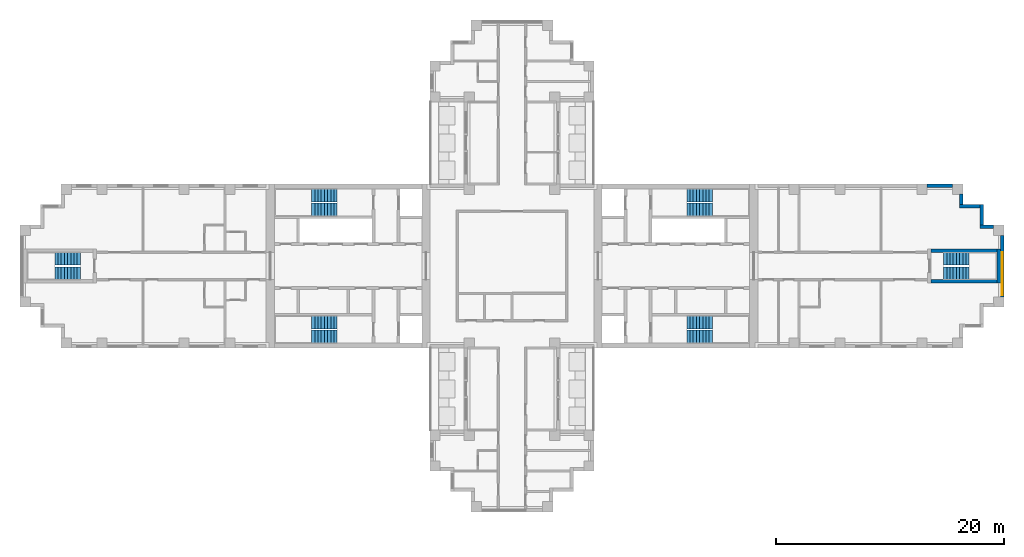
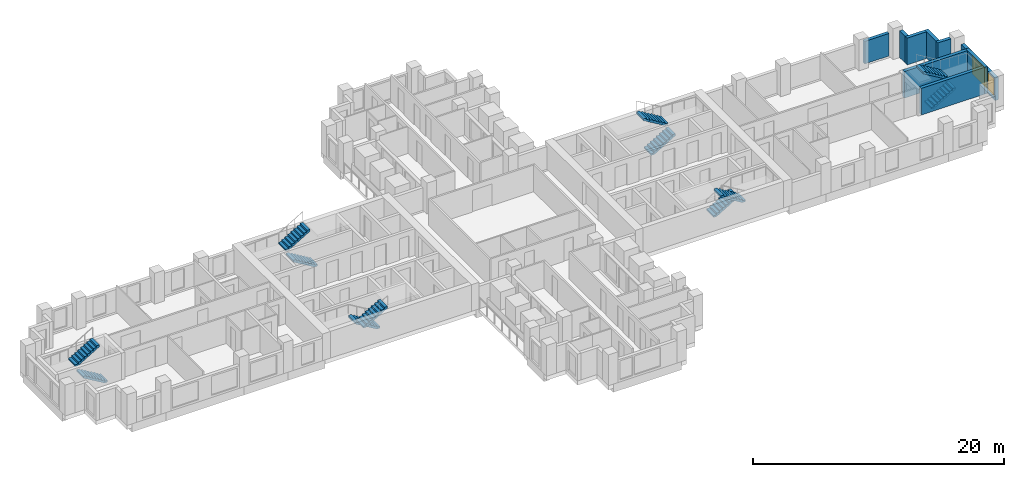
# One storey, part 9 of 11: 12 stair flights, 9 walls, 2 windows, 2 openings, 6 elements without a shape of their own.
"""IFC4 building model written with IfcOpenShell, lengths in metres."""

from ifc_helpers import new_model, si_unit, direction, frame, frame_2d, origin, place, context, subcontext, project, spatial, polyline, rectangle, outline, extrude, material, layer, layer_set, type_object, element, fill, aggregate, save


model = new_model("IFC4")

# Units and contexts
model_context = context("Model", 3, precision=1e-05, world=origin(), true_north=direction((0.0, 1.0)))
body_context = subcontext(model_context, "Body", "Model", "MODEL_VIEW")
ifc_project = project(units=[si_unit("LENGTHUNIT", "METRE"), si_unit("AREAUNIT", "SQUARE_METRE"), si_unit("VOLUMEUNIT", "CUBIC_METRE"), si_unit("PLANEANGLEUNIT", "RADIAN"), si_unit("MASSUNIT", "GRAM", prefix="KILO")], contexts=[model_context])

# Site, building, storey
site_placement = place(None, origin())
site = spatial("IfcSite", under=ifc_project, at=site_placement, CompositionType="ELEMENT")
building_placement = place(site_placement, origin())
building = spatial("IfcBuilding", under=site, at=building_placement, Name="Fustian Cross Tower", CompositionType="ELEMENT")
storey_placement = place(building_placement, frame((0.0, 0.0, 123.300048828125)))
storey = spatial("IfcBuildingStorey", under=building, at=storey_placement, Name="L38", CompositionType="ELEMENT", Elevation=123.300048828125)

# Walls
ifc_material_1 = material(Name="Concrete C50/60", Category="concrete")
ifc_layer_1 = layer(ifc_material_1, 0.300048828125)
ifc_layer_set_1 = layer_set([ifc_layer_1], Name="Concrete C50/60")
wall_type_1 = type_object("IfcWallType", Name="STAIR ENCLOSURE WALL 300 C50/60", PredefinedType="SHEAR", material=ifc_layer_set_1)
wall_1_placement = place(storey_placement, frame((42.75, -1.5, 0.0), z_axis=(0.0, 0.0, 1.0), x_axis=(0.0, 1.0, 0.0)))
element("IfcWall", 1, at=wall_1_placement, inside=storey, type_object=wall_type_1, Name="Stair enclosure wall", PredefinedType="SHEAR", context=body_context, shape_type="SweptSolid", body=[
    extrude(rectangle(XDim=3.0, YDim=0.300048828125, at=frame_2d((1.5, 0.0))), origin(), (0.0, 0.0, 1.0), 2.599853515625),
])
for number, where, z_axis, x_axis, name in (
    (2, (36.800048828125, -1.35009765625, 0.0), (0.0, 0.0, 1.0), (1.0, 0.0, 0.0), "Stair enclosure wall"),
    (3, (36.800048828125, 1.35009765625, 0.0), (0.0, 0.0, 1.0), (1.0, 0.0, 0.0), "Stair enclosure wall"),
):
    element("IfcWall", number, at=place(storey_placement, frame(where, z_axis=z_axis, x_axis=x_axis)), inside=storey, type_object=wall_type_1, Name=name, PredefinedType="SHEAR", context=body_context, shape_type="SweptSolid", body=[
        extrude(rectangle(XDim=5.800048828125, YDim=0.300048828125, at=frame_2d((2.89990234375, 0.0))), origin(), (0.0, 0.0, 1.0), 2.599853515625),
    ])

# Wall, openings, windows
ifc_material_2 = material(Name="Dark aluminium cladding on insulated backing wall", Category="aluminium")
ifc_layer_2 = layer(ifc_material_2, 0.300048828125)
ifc_layer_set_2 = layer_set([ifc_layer_2], Name="Dark aluminium cladding on insulated backing wall")
wall_type_2 = type_object("IfcWallType", Name="XW1 EXTERNAL WALL 300", PredefinedType="SOLIDWALL", material=ifc_layer_set_2)
wall_2_placement = place(storey_placement, frame((43.050048828125, -2.699951171875, 0.0), z_axis=(0.0, 0.0, 1.0), x_axis=(0.0, 1.0, 0.0)))
wall_2 = element("IfcWall", 4, at=wall_2_placement, inside=storey, type_object=wall_type_2, Name="External wall", PredefinedType="SOLIDWALL", context=body_context, shape_type="SweptSolid", body=[
    extrude(rectangle(XDim=5.39990234375, YDim=0.300048828125, at=frame_2d((2.699951171875, 0.0))), origin(), (0.0, 0.0, 1.0), 2.199951171875),
])
opening_1_placement = place(wall_2_placement, frame((1.5, 0.0, 0.199951171875)))
opening_1 = element("IfcOpeningElement", 5, at=opening_1_placement, cuts=wall_2, Name="Opening WN1", PredefinedType="OPENING", context=body_context, shape_type="SweptSolid", body=[
    extrude(rectangle(XDim=2.39990234375, YDim=1.85009765625, at=frame_2d((1.199951171875, 0.925048828125))), frame((0.0, 0.159912109375, 0.0), z_axis=(0.0, -1.0, 0.0), x_axis=(1.0, 0.0, 0.0)), (0.0, 0.0, 1.0), 0.320068359375),
])
opening_2_placement = place(wall_2_placement, frame((0.14990234375, 0.0, 0.199951171875)))
opening_2 = element("IfcOpeningElement", 6, at=opening_2_placement, cuts=wall_2, Name="Opening WN3", PredefinedType="OPENING", context=body_context, shape_type="SweptSolid", body=[
    extrude(rectangle(XDim=1.199951171875, YDim=1.85009765625, at=frame_2d((0.60009765625, 0.925048828125))), frame((0.0, 0.159912109375, 0.0), z_axis=(0.0, -1.0, 0.0), x_axis=(1.0, 0.0, 0.0)), (0.0, 0.0, 1.0), 0.320068359375),
])
ifc_material_3 = material(Name="Dark anodised aluminium and double glazing", Category="aluminium")
window_type_1 = type_object("IfcWindowType", Name="WN1 WINDOW 2400X1850", PartitioningType="SINGLE_PANEL", PredefinedType="WINDOW", material=ifc_material_3)
window_1_placement = place(opening_1_placement, origin())
window_1 = element("IfcWindow", 7, at=window_1_placement, inside=storey, type_object=window_type_1, Name="Window", OverallHeight=1.85009765625, OverallWidth=2.39990234375, PartitioningType="SINGLE_PANEL", PredefinedType="WINDOW", context=body_context, shape_type="SweptSolid", body=[
    extrude(rectangle(XDim=2.39990234375, YDim=1.85009765625, at=frame_2d((1.199951171875, 0.925048828125))), frame((0.0, 0.030029296875, 0.0), z_axis=(0.0, -1.0, 0.0), x_axis=(1.0, 0.0, 0.0)), (0.0, 0.0, 1.0), 0.06005859375),
])
fill(opening_1, window_1)
ifc_material_4 = material(Name="Dark anodised aluminium and double glazing", Category="aluminium")
window_type_2 = type_object("IfcWindowType", Name="WN3 WINDOW 1200X1850", PartitioningType="SINGLE_PANEL", PredefinedType="WINDOW", material=ifc_material_4)
window_2_placement = place(opening_2_placement, origin())
window_2 = element("IfcWindow", 8, at=window_2_placement, inside=storey, type_object=window_type_2, Name="Window", OverallHeight=1.85009765625, OverallWidth=1.199951171875, PartitioningType="SINGLE_PANEL", PredefinedType="WINDOW", context=body_context, shape_type="SweptSolid", body=[
    extrude(rectangle(XDim=1.199951171875, YDim=1.85009765625, at=frame_2d((0.60009765625, 0.925048828125))), frame((0.0, 0.030029296875, 0.0), z_axis=(0.0, -1.0, 0.0), x_axis=(1.0, 0.0, 0.0)), (0.0, 0.0, 1.0), 0.06005859375),
])
fill(opening_2, window_2)

# Walls
wall_3_placement = place(storey_placement, frame((42.300048828125, 3.449951171875, 0.0), z_axis=(0.0, 0.0, 1.0), x_axis=(-1.0, 0.0, 0.0)))
element("IfcWall", 9, at=wall_3_placement, inside=storey, type_object=wall_type_2, Name="External wall", PredefinedType="SOLIDWALL", context=body_context, shape_type="SweptSolid", body=[
    extrude(rectangle(XDim=1.199951171875, YDim=0.300048828125, at=frame_2d((0.60009765625, 0.0))), origin(), (0.0, 0.0, 1.0), 2.599853515625),
])
wall_4_placement = place(storey_placement, frame((41.25, 3.60009765625, 0.0), z_axis=(0.0, 0.0, 1.0), x_axis=(0.0, 1.0, 0.0)))
element("IfcWall", 10, at=wall_4_placement, inside=storey, type_object=wall_type_2, Name="External wall", PredefinedType="SOLIDWALL", context=body_context, shape_type="SweptSolid", body=[
    extrude(rectangle(XDim=1.7998046875, YDim=0.300048828125, at=frame_2d((0.89990234375, 0.0))), origin(), (0.0, 0.0, 1.0), 2.599853515625),
])
wall_5_placement = place(storey_placement, frame((41.10009765625, 5.25, 0.0), z_axis=(0.0, 0.0, 1.0), x_axis=(-1.0, 0.0, 0.0)))
element("IfcWall", 11, at=wall_5_placement, inside=storey, type_object=wall_type_2, Name="External wall", PredefinedType="SOLIDWALL", context=body_context, shape_type="SweptSolid", body=[
    extrude(rectangle(XDim=1.800048828125, YDim=0.300048828125, at=frame_2d((0.89990234375, 0.0))), origin(), (0.0, 0.0, 1.0), 2.599853515625),
])
wall_6_placement = place(storey_placement, frame((39.449951171875, 5.39990234375, 0.0), z_axis=(0.0, 0.0, 1.0), x_axis=(0.0, 1.0, 0.0)))
element("IfcWall", 12, at=wall_6_placement, inside=storey, type_object=wall_type_2, Name="External wall", PredefinedType="SOLIDWALL", context=body_context, shape_type="SweptSolid", body=[
    extrude(rectangle(XDim=0.900146484375, YDim=0.300048828125, at=frame_2d((0.4501953125, 0.0))), origin(), (0.0, 0.0, 1.0), 2.599853515625),
])
wall_7_placement = place(storey_placement, frame((38.699951171875, 7.050048828125, 0.0), z_axis=(0.0, 0.0, 1.0), x_axis=(-1.0, 0.0, 0.0)))
element("IfcWall", 13, at=wall_7_placement, inside=storey, type_object=wall_type_2, Name="External wall", PredefinedType="SOLIDWALL", context=body_context, shape_type="SweptSolid", body=[
    extrude(rectangle(XDim=2.25, YDim=0.300048828125, at=frame_2d((1.125, 0.0))), origin(), (0.0, 0.0, 1.0), 2.199951171875),
])

# Stair, stair flights
ifc_material_5 = material(Name="Concrete C50/60", Category="concrete")
stair_type_1 = type_object("IfcStairType", Name="STAIR 1100 HALF TURN", PredefinedType="HALF_TURN_STAIR", material=ifc_material_5)
stair_1_placement = place(storey_placement, origin())
stair_1 = element("IfcStair", 14, at=stair_1_placement, inside=storey, type_object=stair_type_1, Name="Stair ST8", PredefinedType="HALF_TURN_STAIR")
ifc_material_6 = material(Name="Concrete C50/60", Category="concrete")
stair_flight_type_1 = type_object("IfcStairFlightType", Name="STAIR FLIGHT 1100", PredefinedType="STRAIGHT", material=ifc_material_6)
stair_flight_1_placement = place(storey_placement, frame((37.89990234375, -0.64990234375, 0.0), z_axis=(0.0, 0.0, 1.0), x_axis=(1.0, 0.0, 0.0)))
stair_flight_1 = element("IfcStairFlight", 15, at=stair_flight_1_placement, type_object=stair_flight_type_1, Name="ST8 flight 1", NumberOfRisers=9, NumberOfTreads=8, PredefinedType="STRAIGHT", RiserHeight=0.166666667, TreadLength=0.28, context=body_context, shape_type="SweptSolid", body=[
    extrude(outline(polyline([(0.0, 0.0), (0.0, 0.166748046875), (0.280029296875, 0.166748046875), (0.280029296875, 0.333251953125), (0.56005859375, 0.333251953125), (0.56005859375, 0.5), (0.840087890625, 0.5), (0.840087890625, 0.666748046875), (1.1201171875, 0.666748046875), (1.1201171875, 0.833251953125), (1.39990234375, 0.833251953125), (1.39990234375, 1.0), (1.679931640625, 1.0), (1.679931640625, 1.166748046875), (1.9599609375, 1.166748046875), (1.9599609375, 1.333251953125), (2.239990234375, 1.333251953125), (2.239990234375, 1.5), (2.239990234375, 1.158935546875), (0.29296875, 0.0), (0.0, 0.0)])), frame((0.0, 0.550048828125, 0.0), z_axis=(0.0, -1.0, 0.0), x_axis=(1.0, 0.0, 0.0)), (0.0, 0.0, 1.0), 1.10009765625),
])
stair_flight_2_placement = place(storey_placement, frame((40.139892578125, 0.64990234375, 1.5), z_axis=(0.0, 0.0, 1.0), x_axis=(-1.0, 0.0, 0.0)))
stair_flight_2 = element("IfcStairFlight", 16, at=stair_flight_2_placement, type_object=stair_flight_type_1, Name="ST8 flight 2", NumberOfRisers=9, NumberOfTreads=8, PredefinedType="STRAIGHT", RiserHeight=0.166666667, TreadLength=0.28, context=body_context, shape_type="SweptSolid", body=[
    extrude(outline(polyline([(0.0, 0.0), (0.0, 0.166748046875), (0.280029296875, 0.166748046875), (0.280029296875, 0.333251953125), (0.56005859375, 0.333251953125), (0.56005859375, 0.5), (0.840087890625, 0.5), (0.840087890625, 0.666748046875), (1.1201171875, 0.666748046875), (1.1201171875, 0.833251953125), (1.39990234375, 0.833251953125), (1.39990234375, 1.0), (1.679931640625, 1.0), (1.679931640625, 1.166748046875), (1.9599609375, 1.166748046875), (1.9599609375, 1.333251953125), (2.239990234375, 1.333251953125), (2.239990234375, 1.5), (2.239990234375, 1.158935546875), (0.29296875, 0.0), (0.0, 0.0)])), frame((0.0, 0.550048828125, 0.0), z_axis=(0.0, -1.0, 0.0), x_axis=(1.0, 0.0, 0.0)), (0.0, 0.0, 1.0), 1.10009765625),
])
aggregate(stair_1, [stair_flight_1, stair_flight_2])

stair_2_placement = place(storey_placement, origin())
stair_2 = element("IfcStair", 17, at=stair_2_placement, inside=storey, type_object=stair_type_1, Name="Stair ST9", PredefinedType="HALF_TURN_STAIR")
stair_flight_3_placement = place(storey_placement, frame((-37.89990234375, -0.64990234375, 0.0), z_axis=(0.0, 0.0, 1.0), x_axis=(-1.0, 0.0, 0.0)))
stair_flight_3 = element("IfcStairFlight", 18, at=stair_flight_3_placement, type_object=stair_flight_type_1, Name="ST9 flight 1", NumberOfRisers=9, NumberOfTreads=8, PredefinedType="STRAIGHT", RiserHeight=0.166666667, TreadLength=0.28, context=body_context, shape_type="SweptSolid", body=[
    extrude(outline(polyline([(0.0, 0.0), (0.0, 0.166748046875), (0.280029296875, 0.166748046875), (0.280029296875, 0.333251953125), (0.56005859375, 0.333251953125), (0.56005859375, 0.5), (0.840087890625, 0.5), (0.840087890625, 0.666748046875), (1.1201171875, 0.666748046875), (1.1201171875, 0.833251953125), (1.39990234375, 0.833251953125), (1.39990234375, 1.0), (1.679931640625, 1.0), (1.679931640625, 1.166748046875), (1.9599609375, 1.166748046875), (1.9599609375, 1.333251953125), (2.239990234375, 1.333251953125), (2.239990234375, 1.5), (2.239990234375, 1.158935546875), (0.29296875, 0.0), (0.0, 0.0)])), frame((0.0, 0.550048828125, 0.0), z_axis=(0.0, -1.0, 0.0), x_axis=(1.0, 0.0, 0.0)), (0.0, 0.0, 1.0), 1.10009765625),
])
stair_flight_4_placement = place(storey_placement, frame((-40.139892578125, 0.64990234375, 1.5), z_axis=(0.0, 0.0, 1.0), x_axis=(1.0, 0.0, 0.0)))
stair_flight_4 = element("IfcStairFlight", 19, at=stair_flight_4_placement, type_object=stair_flight_type_1, Name="ST9 flight 2", NumberOfRisers=9, NumberOfTreads=8, PredefinedType="STRAIGHT", RiserHeight=0.166666667, TreadLength=0.28, context=body_context, shape_type="SweptSolid", body=[
    extrude(outline(polyline([(0.0, 0.0), (0.0, 0.166748046875), (0.280029296875, 0.166748046875), (0.280029296875, 0.333251953125), (0.56005859375, 0.333251953125), (0.56005859375, 0.5), (0.840087890625, 0.5), (0.840087890625, 0.666748046875), (1.1201171875, 0.666748046875), (1.1201171875, 0.833251953125), (1.39990234375, 0.833251953125), (1.39990234375, 1.0), (1.679931640625, 1.0), (1.679931640625, 1.166748046875), (1.9599609375, 1.166748046875), (1.9599609375, 1.333251953125), (2.239990234375, 1.333251953125), (2.239990234375, 1.5), (2.239990234375, 1.158935546875), (0.29296875, 0.0), (0.0, 0.0)])), frame((0.0, 0.550048828125, 0.0), z_axis=(0.0, -1.0, 0.0), x_axis=(1.0, 0.0, 0.0)), (0.0, 0.0, 1.0), 1.10009765625),
])
aggregate(stair_2, [stair_flight_3, stair_flight_4])

ifc_material_7 = material(Name="Concrete C50/60", Category="concrete")
stair_type_2 = type_object("IfcStairType", Name="STAIR 1150 HALF TURN", PredefinedType="HALF_TURN_STAIR", material=ifc_material_7)
stair_3_placement = place(storey_placement, origin())
stair_3 = element("IfcStair", 20, at=stair_3_placement, inside=storey, type_object=stair_type_2, Name="Stair ST1", PredefinedType="HALF_TURN_STAIR")
ifc_material_8 = material(Name="Concrete C50/60", Category="concrete")
stair_flight_type_2 = type_object("IfcStairFlightType", Name="STAIR FLIGHT 1150", PredefinedType="STRAIGHT", material=ifc_material_8)
stair_flight_5_placement = place(storey_placement, frame((15.35009765625, 4.97509765625, 0.0), z_axis=(0.0, 0.0, 1.0), x_axis=(1.0, 0.0, 0.0)))
stair_flight_5 = element("IfcStairFlight", 21, at=stair_flight_5_placement, type_object=stair_flight_type_2, Name="ST1 flight 1", NumberOfRisers=9, NumberOfTreads=8, PredefinedType="STRAIGHT", RiserHeight=0.166666667, TreadLength=0.28, context=body_context, shape_type="SweptSolid", body=[
    extrude(outline(polyline([(0.0, 0.0), (0.0, 0.166748046875), (0.280029296875, 0.166748046875), (0.280029296875, 0.333251953125), (0.56005859375, 0.333251953125), (0.56005859375, 0.5), (0.840087890625, 0.5), (0.840087890625, 0.666748046875), (1.1201171875, 0.666748046875), (1.1201171875, 0.833251953125), (1.39990234375, 0.833251953125), (1.39990234375, 1.0), (1.679931640625, 1.0), (1.679931640625, 1.166748046875), (1.9599609375, 1.166748046875), (1.9599609375, 1.333251953125), (2.239990234375, 1.333251953125), (2.239990234375, 1.5), (2.239990234375, 1.158935546875), (0.29296875, 0.0), (0.0, 0.0)])), frame((0.0, 0.574951171875, 0.0), z_axis=(0.0, -1.0, 0.0), x_axis=(1.0, 0.0, 0.0)), (0.0, 0.0, 1.0), 1.14990234375),
])
stair_flight_6_placement = place(storey_placement, frame((17.590087890625, 6.175048828125, 1.5), z_axis=(0.0, 0.0, 1.0), x_axis=(-1.0, 0.0, 0.0)))
stair_flight_6 = element("IfcStairFlight", 22, at=stair_flight_6_placement, type_object=stair_flight_type_2, Name="ST1 flight 2", NumberOfRisers=9, NumberOfTreads=8, PredefinedType="STRAIGHT", RiserHeight=0.166666667, TreadLength=0.28, context=body_context, shape_type="SweptSolid", body=[
    extrude(outline(polyline([(0.0, 0.0), (0.0, 0.166748046875), (0.280029296875, 0.166748046875), (0.280029296875, 0.333251953125), (0.56005859375, 0.333251953125), (0.56005859375, 0.5), (0.840087890625, 0.5), (0.840087890625, 0.666748046875), (1.1201171875, 0.666748046875), (1.1201171875, 0.833251953125), (1.39990234375, 0.833251953125), (1.39990234375, 1.0), (1.679931640625, 1.0), (1.679931640625, 1.166748046875), (1.9599609375, 1.166748046875), (1.9599609375, 1.333251953125), (2.239990234375, 1.333251953125), (2.239990234375, 1.5), (2.239990234375, 1.158935546875), (0.29296875, 0.0), (0.0, 0.0)])), frame((0.0, 0.574951171875, 0.0), z_axis=(0.0, -1.0, 0.0), x_axis=(1.0, 0.0, 0.0)), (0.0, 0.0, 1.0), 1.14990234375),
])
aggregate(stair_3, [stair_flight_5, stair_flight_6])

stair_4_placement = place(storey_placement, origin())
stair_4 = element("IfcStair", 23, at=stair_4_placement, inside=storey, type_object=stair_type_2, Name="Stair ST2", PredefinedType="HALF_TURN_STAIR")
stair_flight_7_placement = place(storey_placement, frame((15.35009765625, -4.97509765625, 0.0), z_axis=(0.0, 0.0, 1.0), x_axis=(1.0, 0.0, 0.0)))
stair_flight_7 = element("IfcStairFlight", 24, at=stair_flight_7_placement, type_object=stair_flight_type_2, Name="ST2 flight 1", NumberOfRisers=9, NumberOfTreads=8, PredefinedType="STRAIGHT", RiserHeight=0.166666667, TreadLength=0.28, context=body_context, shape_type="SweptSolid", body=[
    extrude(outline(polyline([(0.0, 0.0), (0.0, 0.166748046875), (0.280029296875, 0.166748046875), (0.280029296875, 0.333251953125), (0.56005859375, 0.333251953125), (0.56005859375, 0.5), (0.840087890625, 0.5), (0.840087890625, 0.666748046875), (1.1201171875, 0.666748046875), (1.1201171875, 0.833251953125), (1.39990234375, 0.833251953125), (1.39990234375, 1.0), (1.679931640625, 1.0), (1.679931640625, 1.166748046875), (1.9599609375, 1.166748046875), (1.9599609375, 1.333251953125), (2.239990234375, 1.333251953125), (2.239990234375, 1.5), (2.239990234375, 1.158935546875), (0.29296875, 0.0), (0.0, 0.0)])), frame((0.0, 0.574951171875, 0.0), z_axis=(0.0, -1.0, 0.0), x_axis=(1.0, 0.0, 0.0)), (0.0, 0.0, 1.0), 1.14990234375),
])
stair_flight_8_placement = place(storey_placement, frame((17.590087890625, -6.175048828125, 1.5), z_axis=(0.0, 0.0, 1.0), x_axis=(-1.0, 0.0, 0.0)))
stair_flight_8 = element("IfcStairFlight", 25, at=stair_flight_8_placement, type_object=stair_flight_type_2, Name="ST2 flight 2", NumberOfRisers=9, NumberOfTreads=8, PredefinedType="STRAIGHT", RiserHeight=0.166666667, TreadLength=0.28, context=body_context, shape_type="SweptSolid", body=[
    extrude(outline(polyline([(0.0, 0.0), (0.0, 0.166748046875), (0.280029296875, 0.166748046875), (0.280029296875, 0.333251953125), (0.56005859375, 0.333251953125), (0.56005859375, 0.5), (0.840087890625, 0.5), (0.840087890625, 0.666748046875), (1.1201171875, 0.666748046875), (1.1201171875, 0.833251953125), (1.39990234375, 0.833251953125), (1.39990234375, 1.0), (1.679931640625, 1.0), (1.679931640625, 1.166748046875), (1.9599609375, 1.166748046875), (1.9599609375, 1.333251953125), (2.239990234375, 1.333251953125), (2.239990234375, 1.5), (2.239990234375, 1.158935546875), (0.29296875, 0.0), (0.0, 0.0)])), frame((0.0, 0.574951171875, 0.0), z_axis=(0.0, -1.0, 0.0), x_axis=(1.0, 0.0, 0.0)), (0.0, 0.0, 1.0), 1.14990234375),
])
aggregate(stair_4, [stair_flight_7, stair_flight_8])

stair_5_placement = place(storey_placement, origin())
stair_5 = element("IfcStair", 26, at=stair_5_placement, inside=storey, type_object=stair_type_2, Name="Stair ST3", PredefinedType="HALF_TURN_STAIR")
stair_flight_9_placement = place(storey_placement, frame((-15.35009765625, 4.97509765625, 0.0), z_axis=(0.0, 0.0, 1.0), x_axis=(-1.0, 0.0, 0.0)))
stair_flight_9 = element("IfcStairFlight", 27, at=stair_flight_9_placement, type_object=stair_flight_type_2, Name="ST3 flight 1", NumberOfRisers=9, NumberOfTreads=8, PredefinedType="STRAIGHT", RiserHeight=0.166666667, TreadLength=0.28, context=body_context, shape_type="SweptSolid", body=[
    extrude(outline(polyline([(0.0, 0.0), (0.0, 0.166748046875), (0.280029296875, 0.166748046875), (0.280029296875, 0.333251953125), (0.56005859375, 0.333251953125), (0.56005859375, 0.5), (0.840087890625, 0.5), (0.840087890625, 0.666748046875), (1.1201171875, 0.666748046875), (1.1201171875, 0.833251953125), (1.39990234375, 0.833251953125), (1.39990234375, 1.0), (1.679931640625, 1.0), (1.679931640625, 1.166748046875), (1.9599609375, 1.166748046875), (1.9599609375, 1.333251953125), (2.239990234375, 1.333251953125), (2.239990234375, 1.5), (2.239990234375, 1.158935546875), (0.29296875, 0.0), (0.0, 0.0)])), frame((0.0, 0.574951171875, 0.0), z_axis=(0.0, -1.0, 0.0), x_axis=(1.0, 0.0, 0.0)), (0.0, 0.0, 1.0), 1.14990234375),
])
stair_flight_10_placement = place(storey_placement, frame((-17.590087890625, 6.175048828125, 1.5), z_axis=(0.0, 0.0, 1.0), x_axis=(1.0, 0.0, 0.0)))
stair_flight_10 = element("IfcStairFlight", 28, at=stair_flight_10_placement, type_object=stair_flight_type_2, Name="ST3 flight 2", NumberOfRisers=9, NumberOfTreads=8, PredefinedType="STRAIGHT", RiserHeight=0.166666667, TreadLength=0.28, context=body_context, shape_type="SweptSolid", body=[
    extrude(outline(polyline([(0.0, 0.0), (0.0, 0.166748046875), (0.280029296875, 0.166748046875), (0.280029296875, 0.333251953125), (0.56005859375, 0.333251953125), (0.56005859375, 0.5), (0.840087890625, 0.5), (0.840087890625, 0.666748046875), (1.1201171875, 0.666748046875), (1.1201171875, 0.833251953125), (1.39990234375, 0.833251953125), (1.39990234375, 1.0), (1.679931640625, 1.0), (1.679931640625, 1.166748046875), (1.9599609375, 1.166748046875), (1.9599609375, 1.333251953125), (2.239990234375, 1.333251953125), (2.239990234375, 1.5), (2.239990234375, 1.158935546875), (0.29296875, 0.0), (0.0, 0.0)])), frame((0.0, 0.574951171875, 0.0), z_axis=(0.0, -1.0, 0.0), x_axis=(1.0, 0.0, 0.0)), (0.0, 0.0, 1.0), 1.14990234375),
])
aggregate(stair_5, [stair_flight_9, stair_flight_10])

stair_6_placement = place(storey_placement, origin())
stair_6 = element("IfcStair", 29, at=stair_6_placement, inside=storey, type_object=stair_type_2, Name="Stair ST4", PredefinedType="HALF_TURN_STAIR")
stair_flight_11_placement = place(storey_placement, frame((-15.35009765625, -4.97509765625, 0.0), z_axis=(0.0, 0.0, 1.0), x_axis=(-1.0, 0.0, 0.0)))
stair_flight_11 = element("IfcStairFlight", 30, at=stair_flight_11_placement, type_object=stair_flight_type_2, Name="ST4 flight 1", NumberOfRisers=9, NumberOfTreads=8, PredefinedType="STRAIGHT", RiserHeight=0.166666667, TreadLength=0.28, context=body_context, shape_type="SweptSolid", body=[
    extrude(outline(polyline([(0.0, 0.0), (0.0, 0.166748046875), (0.280029296875, 0.166748046875), (0.280029296875, 0.333251953125), (0.56005859375, 0.333251953125), (0.56005859375, 0.5), (0.840087890625, 0.5), (0.840087890625, 0.666748046875), (1.1201171875, 0.666748046875), (1.1201171875, 0.833251953125), (1.39990234375, 0.833251953125), (1.39990234375, 1.0), (1.679931640625, 1.0), (1.679931640625, 1.166748046875), (1.9599609375, 1.166748046875), (1.9599609375, 1.333251953125), (2.239990234375, 1.333251953125), (2.239990234375, 1.5), (2.239990234375, 1.158935546875), (0.29296875, 0.0), (0.0, 0.0)])), frame((0.0, 0.574951171875, 0.0), z_axis=(0.0, -1.0, 0.0), x_axis=(1.0, 0.0, 0.0)), (0.0, 0.0, 1.0), 1.14990234375),
])
stair_flight_12_placement = place(storey_placement, frame((-17.590087890625, -6.175048828125, 1.5), z_axis=(0.0, 0.0, 1.0), x_axis=(1.0, 0.0, 0.0)))
stair_flight_12 = element("IfcStairFlight", 31, at=stair_flight_12_placement, type_object=stair_flight_type_2, Name="ST4 flight 2", NumberOfRisers=9, NumberOfTreads=8, PredefinedType="STRAIGHT", RiserHeight=0.166666667, TreadLength=0.28, context=body_context, shape_type="SweptSolid", body=[
    extrude(outline(polyline([(0.0, 0.0), (0.0, 0.166748046875), (0.280029296875, 0.166748046875), (0.280029296875, 0.333251953125), (0.56005859375, 0.333251953125), (0.56005859375, 0.5), (0.840087890625, 0.5), (0.840087890625, 0.666748046875), (1.1201171875, 0.666748046875), (1.1201171875, 0.833251953125), (1.39990234375, 0.833251953125), (1.39990234375, 1.0), (1.679931640625, 1.0), (1.679931640625, 1.166748046875), (1.9599609375, 1.166748046875), (1.9599609375, 1.333251953125), (2.239990234375, 1.333251953125), (2.239990234375, 1.5), (2.239990234375, 1.158935546875), (0.29296875, 0.0), (0.0, 0.0)])), frame((0.0, 0.574951171875, 0.0), z_axis=(0.0, -1.0, 0.0), x_axis=(1.0, 0.0, 0.0)), (0.0, 0.0, 1.0), 1.14990234375),
])
aggregate(stair_6, [stair_flight_11, stair_flight_12])

save(model, "model.ifc")
